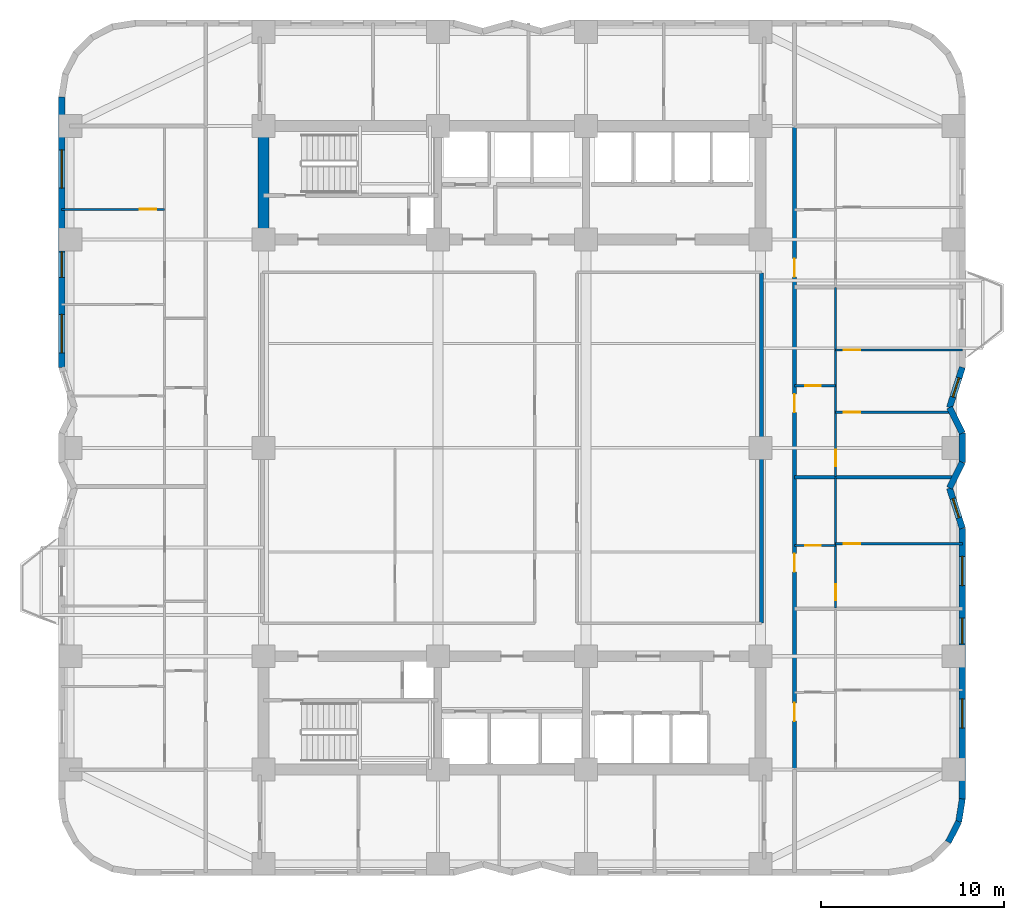
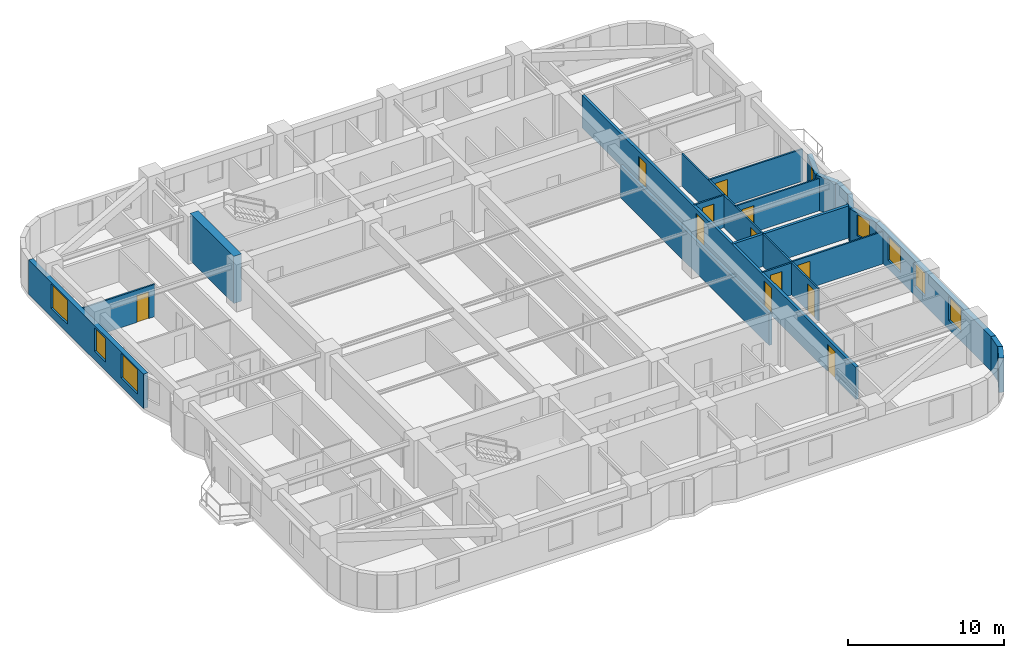
# One storey, part 5 of 9: 21 walls, 12 doors, 8 windows, 20 openings.
"""IFC4 building model written with IfcOpenShell, lengths in metres."""

from ifc_helpers import new_model, si_unit, direction, frame, frame_2d, origin, place, context, subcontext, project, spatial, rectangle, extrude, material, layer, layer_set, type_object, element, fill, save


model = new_model("IFC4")

# Units and contexts
model_context = context("Model", 3, precision=1e-05, world=origin(), true_north=direction((0.0, 1.0)))
body_context = subcontext(model_context, "Body", "Model", "MODEL_VIEW")
ifc_project = project(units=[si_unit("LENGTHUNIT", "METRE"), si_unit("AREAUNIT", "SQUARE_METRE"), si_unit("VOLUMEUNIT", "CUBIC_METRE"), si_unit("PLANEANGLEUNIT", "RADIAN"), si_unit("MASSUNIT", "GRAM", prefix="KILO")], contexts=[model_context])

# Site, building, storey
site_placement = place(None, origin())
site = spatial("IfcSite", under=ifc_project, at=site_placement, CompositionType="ELEMENT")
building_placement = place(site_placement, origin())
building = spatial("IfcBuilding", under=site, at=building_placement, Name="Svetorya Sky Lyceum", CompositionType="ELEMENT")
storey_placement = place(building_placement, frame((0.0, 0.0, 62.10009765625)))
storey = spatial("IfcBuildingStorey", under=building, at=storey_placement, Name="L15", CompositionType="ELEMENT", Elevation=62.10009765625)

# Walls
ifc_material_1 = material(Name="Concrete C60/75", Category="concrete")
ifc_layer_1 = layer(ifc_material_1, 0.60009765625)
ifc_layer_set_1 = layer_set([ifc_layer_1], Name="Concrete C60/75")
wall_type_1 = type_object("IfcWallType", Name="WL-CORE-600", PredefinedType="SHEAR", material=ifc_layer_set_1)
wall_1_placement = place(storey_placement, frame((25.60009765625, 39.89990234375, 0.0), z_axis=(0.0, 0.0, 1.0), x_axis=(0.0, 1.0, 0.0)))
element("IfcWall", 1, at=wall_1_placement, inside=storey, type_object=wall_type_1, Name="L15 NC West Core Shear Wall", PredefinedType="SHEAR", context=body_context, shape_type="SweptSolid", body=[
    extrude(rectangle(XDim=5.60009765625, YDim=0.60009765625, at=frame_2d((2.800048828125, 0.0))), origin(), (0.0, 0.0, 1.0), 3.699951171875),
])
ifc_material_2 = material(Name="Putilovo limestone rainscreen on autoclaved cellular masonry", Category="masonry")
ifc_layer_2 = layer(ifc_material_2, 0.340087890625)
ifc_layer_set_2 = layer_set([ifc_layer_2], Name="Putilovo limestone rainscreen on autoclaved cellular masonry")
wall_type_2 = type_object("IfcWallType", Name="WL-EXT-340", PredefinedType="SOLIDWALL", material=ifc_layer_set_2)
for number, where, z_axis, x_axis, name in (
    (2, (63.060302734375, 6.631103515625, 0.0), (0.0, 0.0, 1.0), (0.454015689056, 0.890993689142, 0.0), "L15 Limestone Exterior Wall 15M"),
    (3, (63.6328125, 7.754638671875, 0.0), (0.0, 0.0, 1.0), (0.15644975923, 0.987685918112, 0.0), "L15 Limestone Exterior Wall 16M"),
):
    element("IfcWall", number, at=place(storey_placement, frame(where, z_axis=z_axis, x_axis=x_axis)), inside=storey, type_object=wall_type_2, Name=name, PredefinedType="SOLIDWALL", context=body_context, shape_type="SweptSolid", body=[
        extrude(rectangle(XDim=1.260986328125, YDim=0.340087890625, at=frame_2d((0.63037109375, 0.0))), origin(), (0.0, 0.0, 1.0), 2.699951171875),
    ])

# Wall, openings, windows
wall_2_placement = place(storey_placement, frame((63.830078125, 9.0, 0.0), z_axis=(0.0, 0.0, 1.0), x_axis=(0.0, 1.0, 0.0)))
wall_2 = element("IfcWall", 4, at=wall_2_placement, inside=storey, type_object=wall_type_2, Name="L15 Limestone Exterior Wall 17M", PredefinedType="SOLIDWALL", context=body_context, shape_type="SweptSolid", body=[
    extrude(rectangle(XDim=14.800048828125, YDim=0.340087890625, at=frame_2d((7.39990234375, 0.0))), origin(), (0.0, 0.0, 1.0), 2.699951171875),
])
opening_1_placement = place(wall_2_placement, frame((3.862548828125, 0.0, 0.679931640625)))
opening_1 = element("IfcOpeningElement", 5, at=opening_1_placement, cuts=wall_2, Name="Opening W-R4", PredefinedType="OPENING", context=body_context, shape_type="SweptSolid", body=[
    extrude(rectangle(XDim=1.60009765625, YDim=1.89990234375, at=frame_2d((0.800048828125, 0.949951171875))), frame((0.0, 0.179931640625, 0.0), z_axis=(0.0, -1.0, 0.0), x_axis=(1.0, 0.0, 0.0)), (0.0, 0.0, 1.0), 0.360107421875),
])
opening_2_placement = place(wall_2_placement, frame((8.47998046875, 0.0, 0.68994140625)))
opening_2 = element("IfcOpeningElement", 6, at=opening_2_placement, cuts=wall_2, Name="Opening W-R2", PredefinedType="OPENING", context=body_context, shape_type="SweptSolid", body=[
    extrude(rectangle(XDim=1.39990234375, YDim=1.85009765625, at=frame_2d((0.699951171875, 0.925048828125))), frame((0.0, 0.179931640625, 0.0), z_axis=(0.0, -1.0, 0.0), x_axis=(1.0, 0.0, 0.0)), (0.0, 0.0, 1.0), 0.360107421875),
])
opening_3_placement = place(wall_2_placement, frame((11.66259765625, 0.0, 0.679931640625)))
opening_3 = element("IfcOpeningElement", 7, at=opening_3_placement, cuts=wall_2, Name="Opening W-R4", PredefinedType="OPENING", context=body_context, shape_type="SweptSolid", body=[
    extrude(rectangle(XDim=1.60009765625, YDim=1.89990234375, at=frame_2d((0.800048828125, 0.949951171875))), frame((0.0, 0.179931640625, 0.0), z_axis=(0.0, -1.0, 0.0), x_axis=(1.0, 0.0, 0.0)), (0.0, 0.0, 1.0), 0.360107421875),
])
ifc_material_3 = material(Name="Thermally broken aluminium frame with triple low-E glazing", Category="aluminium")
window_type_1 = type_object("IfcWindowType", Name="WN-RES-140", PartitioningType="SINGLE_PANEL", PredefinedType="WINDOW", material=ifc_material_3)
window_1_placement = place(opening_2_placement, origin())
window_1 = element("IfcWindow", 8, at=window_1_placement, inside=storey, type_object=window_type_1, Name="L15 Facade Window W-R2.17M.3", OverallHeight=1.85009765625, OverallWidth=1.39990234375, PartitioningType="SINGLE_PANEL", PredefinedType="WINDOW", context=body_context, shape_type="SweptSolid", body=[
    extrude(rectangle(XDim=1.39990234375, YDim=1.85009765625, at=frame_2d((0.699951171875, 0.925048828125))), frame((0.0, 0.030029296875, 0.0), z_axis=(0.0, -1.0, 0.0), x_axis=(1.0, 0.0, 0.0)), (0.0, 0.0, 1.0), 0.06005859375),
])
fill(opening_2, window_1)
window_type_2 = type_object("IfcWindowType", Name="WN-RES-160", PartitioningType="DOUBLE_PANEL_VERTICAL", PredefinedType="WINDOW", material=ifc_material_3)
window_2_placement = place(opening_1_placement, origin())
window_2 = element("IfcWindow", 9, at=window_2_placement, inside=storey, type_object=window_type_2, Name="L15 Facade Window W-R4.17M.1", OverallHeight=1.89990234375, OverallWidth=1.60009765625, PartitioningType="SINGLE_PANEL", PredefinedType="WINDOW", context=body_context, shape_type="SweptSolid", body=[
    extrude(rectangle(XDim=1.60009765625, YDim=1.89990234375, at=frame_2d((0.800048828125, 0.949951171875))), frame((0.0, 0.030029296875, 0.0), z_axis=(0.0, -1.0, 0.0), x_axis=(1.0, 0.0, 0.0)), (0.0, 0.0, 1.0), 0.06005859375),
])
fill(opening_1, window_2)
window_3_placement = place(opening_3_placement, origin())
window_3 = element("IfcWindow", 10, at=window_3_placement, inside=storey, type_object=window_type_2, Name="L15 Facade Window W-R4.17M.2", OverallHeight=1.89990234375, OverallWidth=1.60009765625, PartitioningType="SINGLE_PANEL", PredefinedType="WINDOW", context=body_context, shape_type="SweptSolid", body=[
    extrude(rectangle(XDim=1.60009765625, YDim=1.89990234375, at=frame_2d((0.800048828125, 0.949951171875))), frame((0.0, 0.030029296875, 0.0), z_axis=(0.0, -1.0, 0.0), x_axis=(1.0, 0.0, 0.0)), (0.0, 0.0, 1.0), 0.06005859375),
])
fill(opening_3, window_3)

# Wall, opening, window
wall_3_placement = place(storey_placement, frame((63.830078125, 23.800048828125, 0.0), z_axis=(0.0, 0.0, 1.0), x_axis=(-0.303286588318, 0.95289938889, 0.0)))
wall_3 = element("IfcWall", 11, at=wall_3_placement, inside=storey, type_object=wall_type_2, Name="L15 Limestone Exterior Wall 18M", PredefinedType="SOLIDWALL", context=body_context, shape_type="SweptSolid", body=[
    extrude(rectangle(XDim=2.30859375, YDim=0.340087890625, at=frame_2d((1.154296875, 0.0))), origin(), (0.0, 0.0, 1.0), 2.699951171875),
])
opening_4_placement = place(wall_3_placement, frame((0.604248046875, 0.0, 0.889892578125)))
opening_4 = element("IfcOpeningElement", 12, at=opening_4_placement, cuts=wall_3, Name="Opening W-R3", PredefinedType="OPENING", context=body_context, shape_type="SweptSolid", body=[
    extrude(rectangle(XDim=1.10009765625, YDim=1.64990234375, at=frame_2d((0.550048828125, 0.824951171875))), frame((0.0, 0.179931640625, 0.0), z_axis=(0.0, -1.0, 0.0), x_axis=(1.0, 0.0, 0.0)), (0.0, 0.0, 1.0), 0.360107421875),
])
window_type_3 = type_object("IfcWindowType", Name="WN-RES-110", PartitioningType="SINGLE_PANEL", PredefinedType="WINDOW", material=ifc_material_3)
window_4_placement = place(opening_4_placement, origin())
window_4 = element("IfcWindow", 13, at=window_4_placement, inside=storey, type_object=window_type_3, Name="L15 Facade Window W-R3.18M.1", OverallHeight=1.64990234375, OverallWidth=1.10009765625, PartitioningType="SINGLE_PANEL", PredefinedType="WINDOW", context=body_context, shape_type="SweptSolid", body=[
    extrude(rectangle(XDim=1.10009765625, YDim=1.64990234375, at=frame_2d((0.550048828125, 0.824951171875))), frame((0.0, 0.030029296875, 0.0), z_axis=(0.0, -1.0, 0.0), x_axis=(1.0, 0.0, 0.0)), (0.0, 0.0, 1.0), 0.06005859375),
])
fill(opening_4, window_4)

# Walls
wall_4_placement = place(storey_placement, frame((63.1298828125, 26.0, 0.0), z_axis=(0.0, 0.0, 1.0), x_axis=(0.447338371726, 0.894364792007, 0.0)))
element("IfcWall", 14, at=wall_4_placement, inside=storey, type_object=wall_type_2, Name="L15 Limestone Exterior Wall 19M", PredefinedType="SOLIDWALL", context=body_context, shape_type="SweptSolid", body=[
    extrude(rectangle(XDim=1.565185546875, YDim=0.340087890625, at=frame_2d((0.78271484375, 0.0))), origin(), (0.0, 0.0, 1.0), 2.699951171875),
])
wall_5_placement = place(storey_placement, frame((63.830078125, 27.39990234375, 0.0), z_axis=(0.0, 0.0, 1.0), x_axis=(0.0, 1.0, 0.0)))
element("IfcWall", 15, at=wall_5_placement, inside=storey, type_object=wall_type_2, Name="L15 Limestone Exterior Wall 20M", PredefinedType="SOLIDWALL", context=body_context, shape_type="SweptSolid", body=[
    extrude(rectangle(XDim=1.60009765625, YDim=0.340087890625, at=frame_2d((0.800048828125, 0.0))), origin(), (0.0, 0.0, 1.0), 2.699951171875),
])
wall_6_placement = place(storey_placement, frame((63.830078125, 29.0, 0.0), z_axis=(0.0, 0.0, 1.0), x_axis=(-0.447338371726, 0.894364792007, 0.0)))
element("IfcWall", 16, at=wall_6_placement, inside=storey, type_object=wall_type_2, Name="L15 Limestone Exterior Wall 21M", PredefinedType="SOLIDWALL", context=body_context, shape_type="SweptSolid", body=[
    extrude(rectangle(XDim=1.565185546875, YDim=0.340087890625, at=frame_2d((0.78271484375, 0.0))), origin(), (0.0, 0.0, 1.0), 2.699951171875),
])

# Wall, opening, window
wall_7_placement = place(storey_placement, frame((63.1298828125, 30.39990234375, 0.0), z_axis=(0.0, 0.0, 1.0), x_axis=(0.303256029766, 0.952909114454, 0.0)))
wall_7 = element("IfcWall", 17, at=wall_7_placement, inside=storey, type_object=wall_type_2, Name="L15 Limestone Exterior Wall 22M", PredefinedType="SOLIDWALL", context=body_context, shape_type="SweptSolid", body=[
    extrude(rectangle(XDim=2.308837890625, YDim=0.340087890625, at=frame_2d((1.154296875, 0.0))), origin(), (0.0, 0.0, 1.0), 2.699951171875),
])
opening_5_placement = place(wall_7_placement, frame((0.604248046875, 0.0, 0.889892578125)))
opening_5 = element("IfcOpeningElement", 18, at=opening_5_placement, cuts=wall_7, Name="Opening W-R3", PredefinedType="OPENING", context=body_context, shape_type="SweptSolid", body=[
    extrude(rectangle(XDim=1.10009765625, YDim=1.64990234375, at=frame_2d((0.550048828125, 0.824951171875))), frame((0.0, 0.179931640625, 0.0), z_axis=(0.0, -1.0, 0.0), x_axis=(1.0, 0.0, 0.0)), (0.0, 0.0, 1.0), 0.360107421875),
])
window_5_placement = place(opening_5_placement, origin())
window_5 = element("IfcWindow", 19, at=window_5_placement, inside=storey, type_object=window_type_3, Name="L15 Facade Window W-R3.22M.1", OverallHeight=1.64990234375, OverallWidth=1.10009765625, PartitioningType="SINGLE_PANEL", PredefinedType="WINDOW", context=body_context, shape_type="SweptSolid", body=[
    extrude(rectangle(XDim=1.10009765625, YDim=1.64990234375, at=frame_2d((0.550048828125, 0.824951171875))), frame((0.0, 0.030029296875, 0.0), z_axis=(0.0, -1.0, 0.0), x_axis=(1.0, 0.0, 0.0)), (0.0, 0.0, 1.0), 0.06005859375),
])
fill(opening_5, window_5)

# Wall, openings, windows
wall_8_placement = place(storey_placement, frame((14.570068359375, 47.39990234375, 0.0), z_axis=(0.0, 0.0, 1.0), x_axis=(0.0, -1.0, 0.0)))
wall_8 = element("IfcWall", 20, at=wall_8_placement, inside=storey, type_object=wall_type_2, Name="L15 Limestone Exterior Wall 40M", PredefinedType="SOLIDWALL", context=body_context, shape_type="SweptSolid", body=[
    extrude(rectangle(XDim=14.7998046875, YDim=0.340087890625, at=frame_2d((7.39990234375, 0.0))), origin(), (0.0, 0.0, 1.0), 2.699951171875),
])
opening_6_placement = place(wall_8_placement, frame((2.89990234375, 0.0, 0.679931640625)))
opening_6 = element("IfcOpeningElement", 21, at=opening_6_placement, cuts=wall_8, Name="Opening W-R0", PredefinedType="OPENING", context=body_context, shape_type="SweptSolid", body=[
    extrude(rectangle(XDim=2.10009765625, YDim=1.89990234375, at=frame_2d((1.050048828125, 0.949951171875))), frame((0.0, 0.179931640625, 0.0), z_axis=(0.0, -1.0, 0.0), x_axis=(1.0, 0.0, 0.0)), (0.0, 0.0, 1.0), 0.360107421875),
])
opening_7_placement = place(wall_8_placement, frame((8.47998046875, 0.0, 0.68994140625)))
opening_7 = element("IfcOpeningElement", 22, at=opening_7_placement, cuts=wall_8, Name="Opening W-R2", PredefinedType="OPENING", context=body_context, shape_type="SweptSolid", body=[
    extrude(rectangle(XDim=1.39990234375, YDim=1.85009765625, at=frame_2d((0.699951171875, 0.925048828125))), frame((0.0, 0.179931640625, 0.0), z_axis=(0.0, -1.0, 0.0), x_axis=(1.0, 0.0, 0.0)), (0.0, 0.0, 1.0), 0.360107421875),
])
opening_8_placement = place(wall_8_placement, frame((11.89990234375, 0.0, 0.679931640625)))
opening_8 = element("IfcOpeningElement", 23, at=opening_8_placement, cuts=wall_8, Name="Opening W-R0", PredefinedType="OPENING", context=body_context, shape_type="SweptSolid", body=[
    extrude(rectangle(XDim=2.10009765625, YDim=1.89990234375, at=frame_2d((1.050048828125, 0.949951171875))), frame((0.0, 0.179931640625, 0.0), z_axis=(0.0, -1.0, 0.0), x_axis=(1.0, 0.0, 0.0)), (0.0, 0.0, 1.0), 0.360107421875),
])
window_6_placement = place(opening_7_placement, origin())
window_6 = element("IfcWindow", 24, at=window_6_placement, inside=storey, type_object=window_type_1, Name="L15 Facade Window W-R2.40M.3", OverallHeight=1.85009765625, OverallWidth=1.39990234375, PartitioningType="SINGLE_PANEL", PredefinedType="WINDOW", context=body_context, shape_type="SweptSolid", body=[
    extrude(rectangle(XDim=1.39990234375, YDim=1.85009765625, at=frame_2d((0.699951171875, 0.925048828125))), frame((0.0, 0.030029296875, 0.0), z_axis=(0.0, -1.0, 0.0), x_axis=(1.0, 0.0, 0.0)), (0.0, 0.0, 1.0), 0.06005859375),
])
fill(opening_7, window_6)
window_type_4 = type_object("IfcWindowType", Name="WN-RES-210", PartitioningType="TRIPLE_PANEL_VERTICAL", PredefinedType="WINDOW", material=ifc_material_3)
window_7_placement = place(opening_6_placement, origin())
window_7 = element("IfcWindow", 25, at=window_7_placement, inside=storey, type_object=window_type_4, Name="L15 Facade Window W-R0.40M.1", OverallHeight=1.89990234375, OverallWidth=2.10009765625, PartitioningType="SINGLE_PANEL", PredefinedType="WINDOW", context=body_context, shape_type="SweptSolid", body=[
    extrude(rectangle(XDim=2.10009765625, YDim=1.89990234375, at=frame_2d((1.050048828125, 0.949951171875))), frame((0.0, 0.030029296875, 0.0), z_axis=(0.0, -1.0, 0.0), x_axis=(1.0, 0.0, 0.0)), (0.0, 0.0, 1.0), 0.06005859375),
])
fill(opening_6, window_7)
window_8_placement = place(opening_8_placement, origin())
window_8 = element("IfcWindow", 26, at=window_8_placement, inside=storey, type_object=window_type_4, Name="L15 Facade Window W-R0.40M.2", OverallHeight=1.89990234375, OverallWidth=2.10009765625, PartitioningType="SINGLE_PANEL", PredefinedType="WINDOW", context=body_context, shape_type="SweptSolid", body=[
    extrude(rectangle(XDim=2.10009765625, YDim=1.89990234375, at=frame_2d((1.050048828125, 0.949951171875))), frame((0.0, 0.030029296875, 0.0), z_axis=(0.0, -1.0, 0.0), x_axis=(1.0, 0.0, 0.0)), (0.0, 0.0, 1.0), 0.06005859375),
])
fill(opening_8, window_8)

# Wall, opening, door
ifc_material_4 = material(Name="Twin-stud galvanized framing with double fireboard", Category="gypsum")
ifc_layer_3 = layer(ifc_material_4, 0.1201171875)
ifc_layer_set_3 = layer_set([ifc_layer_3], Name="Twin-stud galvanized framing with double fireboard")
wall_type_3 = type_object("IfcWallType", Name="WL-PART-120", PredefinedType="PARTITIONING", material=ifc_layer_set_3)
wall_9_placement = place(storey_placement, frame((14.570068359375, 41.238037109375, 0.0), z_axis=(0.0, 0.0, 1.0), x_axis=(1.0, 0.0, 0.0)))
wall_9 = element("IfcWall", 27, at=wall_9_placement, inside=storey, type_object=wall_type_3, Name="L15 Interior Partition W2-WL3", PredefinedType="PARTITIONING", context=body_context, shape_type="SweptSolid", body=[
    extrude(rectangle(XDim=5.6298828125, YDim=0.1201171875, at=frame_2d((2.81494140625, 0.0))), origin(), (0.0, 0.0, 1.0), 2.52978515625),
])
opening_9_placement = place(wall_9_placement, frame((4.280029296875, 0.0, 0.0)))
opening_9 = element("IfcOpeningElement", 28, at=opening_9_placement, cuts=wall_9, Name="Opening D-RM1", PredefinedType="OPENING", context=body_context, shape_type="SweptSolid", body=[
    extrude(rectangle(XDim=0.89990234375, YDim=2.10009765625, at=frame_2d((0.449951171875, 1.050048828125))), frame((0.0, 0.070068359375, 0.0), z_axis=(0.0, -1.0, 0.0), x_axis=(1.0, 0.0, 0.0)), (0.0, 0.0, 1.0), 0.14013671875),
])
ifc_material_5 = material(Name="Lacquered birch veneer internal door")
door_type_1 = type_object("IfcDoorType", Name="DR-INT-900", OperationType="SINGLE_SWING_LEFT", PredefinedType="DOOR", material=ifc_material_5)
door_1_placement = place(opening_9_placement, origin())
door_1 = element("IfcDoor", 29, at=door_1_placement, inside=storey, type_object=door_type_1, Name="Apartment W2 Bedroom 3 Door", OperationType="SINGLE_SWING_RIGHT", OverallHeight=2.10009765625, OverallWidth=0.89990234375, PredefinedType="DOOR", context=body_context, shape_type="SweptSolid", body=[
    extrude(rectangle(XDim=0.89990234375, YDim=2.10009765625, at=frame_2d((0.449951171875, 1.050048828125))), frame((0.0, 0.02490234375, 0.0), z_axis=(0.0, -1.0, 0.0), x_axis=(1.0, 0.0, 0.0)), (0.0, 0.0, 1.0), 0.050048828125),
])
fill(opening_9, door_1)

wall_10_placement = place(storey_placement, frame((54.64990234375, 22.860107421875, 0.0), z_axis=(0.0, 0.0, 1.0), x_axis=(1.0, 0.0, 0.0)))
wall_10 = element("IfcWall", 30, at=wall_10_placement, inside=storey, type_object=wall_type_3, Name="L15 Interior Partition E2-WH1", PredefinedType="PARTITIONING", context=body_context, shape_type="SweptSolid", body=[
    extrude(rectangle(XDim=2.25, YDim=0.1201171875, at=frame_2d((1.125, 0.0))), origin(), (0.0, 0.0, 1.0), 2.52978515625),
])
opening_10_placement = place(wall_10_placement, frame((0.60009765625, 0.0, 0.0)))
opening_10 = element("IfcOpeningElement", 31, at=opening_10_placement, cuts=wall_10, Name="Opening D-BT1", PredefinedType="OPENING", context=body_context, shape_type="SweptSolid", body=[
    extrude(rectangle(XDim=0.85009765625, YDim=2.10009765625, at=frame_2d((0.425048828125, 1.050048828125))), frame((0.0, 0.070068359375, 0.0), z_axis=(0.0, -1.0, 0.0), x_axis=(1.0, 0.0, 0.0)), (0.0, 0.0, 1.0), 0.14013671875),
])
ifc_material_6 = material(Name="Moisture-resistant laminate bathroom door")
door_type_2 = type_object("IfcDoorType", Name="DR-WET-850", OperationType="SINGLE_SWING_LEFT", PredefinedType="DOOR", material=ifc_material_6)
door_2_placement = place(opening_10_placement, origin())
door_2 = element("IfcDoor", 32, at=door_2_placement, inside=storey, type_object=door_type_2, Name="Apartment E2 Bathroom Door", OperationType="SINGLE_SWING_LEFT", OverallHeight=2.10009765625, OverallWidth=0.85009765625, PredefinedType="DOOR", context=body_context, shape_type="SweptSolid", body=[
    extrude(rectangle(XDim=0.85009765625, YDim=2.10009765625, at=frame_2d((0.425048828125, 1.050048828125))), frame((0.0, 0.02490234375, 0.0), z_axis=(0.0, -1.0, 0.0), x_axis=(1.0, 0.0, 0.0)), (0.0, 0.0, 1.0), 0.050048828125),
])
fill(opening_10, door_2)

wall_11_placement = place(storey_placement, frame((56.89990234375, 22.949951171875, 0.0), z_axis=(0.0, 0.0, 1.0), x_axis=(1.0, 0.0, 0.0)))
wall_11 = element("IfcWall", 33, at=wall_11_placement, inside=storey, type_object=wall_type_3, Name="L15 Interior Partition E2-WL1", PredefinedType="PARTITIONING", context=body_context, shape_type="SweptSolid", body=[
    extrude(rectangle(XDim=6.93017578125, YDim=0.1201171875, at=frame_2d((3.465087890625, 0.0))), origin(), (0.0, 0.0, 1.0), 2.52978515625),
])
opening_11_placement = place(wall_11_placement, frame((0.449951171875, 0.0, 0.0)))
opening_11 = element("IfcOpeningElement", 34, at=opening_11_placement, cuts=wall_11, Name="Opening D-RM1", PredefinedType="OPENING", context=body_context, shape_type="SweptSolid", body=[
    extrude(rectangle(XDim=0.89990234375, YDim=2.10009765625, at=frame_2d((0.449951171875, 1.050048828125))), frame((0.0, 0.070068359375, 0.0), z_axis=(0.0, -1.0, 0.0), x_axis=(1.0, 0.0, 0.0)), (0.0, 0.0, 1.0), 0.14013671875),
])
door_3_placement = place(opening_11_placement, origin())
door_3 = element("IfcDoor", 35, at=door_3_placement, inside=storey, type_object=door_type_1, Name="Apartment E2 Bedroom 1 Door", OperationType="SINGLE_SWING_LEFT", OverallHeight=2.10009765625, OverallWidth=0.89990234375, PredefinedType="DOOR", context=body_context, shape_type="SweptSolid", body=[
    extrude(rectangle(XDim=0.89990234375, YDim=2.10009765625, at=frame_2d((0.449951171875, 1.050048828125))), frame((0.0, 0.02490234375, 0.0), z_axis=(0.0, -1.0, 0.0), x_axis=(1.0, 0.0, 0.0)), (0.0, 0.0, 1.0), 0.050048828125),
])
fill(opening_11, door_3)

wall_12_placement = place(storey_placement, frame((56.89990234375, 19.43994140625, 0.0), z_axis=(0.0, 0.0, 1.0), x_axis=(0.0, 1.0, 0.0)))
wall_12 = element("IfcWall", 36, at=wall_12_placement, inside=storey, type_object=wall_type_3, Name="L15 Interior Partition E2-WV", PredefinedType="PARTITIONING", context=body_context, shape_type="SweptSolid", body=[
    extrude(rectangle(XDim=7.1201171875, YDim=0.1201171875, at=frame_2d((3.56005859375, 0.0))), origin(), (0.0, 0.0, 1.0), 2.52978515625),
])
opening_12_placement = place(wall_12_placement, frame((0.409912109375, 0.0, 0.0)))
opening_12 = element("IfcOpeningElement", 37, at=opening_12_placement, cuts=wall_12, Name="Opening D-RM1", PredefinedType="OPENING", context=body_context, shape_type="SweptSolid", body=[
    extrude(rectangle(XDim=0.89990234375, YDim=2.10009765625, at=frame_2d((0.449951171875, 1.050048828125))), frame((0.0, 0.070068359375, 0.0), z_axis=(0.0, -1.0, 0.0), x_axis=(1.0, 0.0, 0.0)), (0.0, 0.0, 1.0), 0.14013671875),
])
door_4_placement = place(opening_12_placement, origin())
door_4 = element("IfcDoor", 38, at=door_4_placement, inside=storey, type_object=door_type_1, Name="Apartment E2 Living Door", OperationType="SINGLE_SWING_RIGHT", OverallHeight=2.10009765625, OverallWidth=0.89990234375, PredefinedType="DOOR", context=body_context, shape_type="SweptSolid", body=[
    extrude(rectangle(XDim=0.89990234375, YDim=2.10009765625, at=frame_2d((0.449951171875, 1.050048828125))), frame((0.0, 0.02490234375, 0.0), z_axis=(0.0, -1.0, 0.0), x_axis=(1.0, 0.0, 0.0)), (0.0, 0.0, 1.0), 0.050048828125),
])
fill(opening_12, door_4)

wall_13_placement = place(storey_placement, frame((54.64990234375, 31.590087890625, 0.0), z_axis=(0.0, 0.0, 1.0), x_axis=(1.0, 0.0, 0.0)))
wall_13 = element("IfcWall", 39, at=wall_13_placement, inside=storey, type_object=wall_type_3, Name="L15 Interior Partition E3-WH1", PredefinedType="PARTITIONING", context=body_context, shape_type="SweptSolid", body=[
    extrude(rectangle(XDim=2.25, YDim=0.1201171875, at=frame_2d((1.125, 0.0))), origin(), (0.0, 0.0, 1.0), 2.52978515625),
])
opening_13_placement = place(wall_13_placement, frame((0.60009765625, 0.0, 0.0)))
opening_13 = element("IfcOpeningElement", 40, at=opening_13_placement, cuts=wall_13, Name="Opening D-BT1", PredefinedType="OPENING", context=body_context, shape_type="SweptSolid", body=[
    extrude(rectangle(XDim=0.85009765625, YDim=2.10009765625, at=frame_2d((0.425048828125, 1.050048828125))), frame((0.0, 0.070068359375, 0.0), z_axis=(0.0, -1.0, 0.0), x_axis=(1.0, 0.0, 0.0)), (0.0, 0.0, 1.0), 0.14013671875),
])
door_5_placement = place(opening_13_placement, origin())
door_5 = element("IfcDoor", 41, at=door_5_placement, inside=storey, type_object=door_type_2, Name="Apartment E3 Bathroom Door", OperationType="SINGLE_SWING_RIGHT", OverallHeight=2.10009765625, OverallWidth=0.85009765625, PredefinedType="DOOR", context=body_context, shape_type="SweptSolid", body=[
    extrude(rectangle(XDim=0.85009765625, YDim=2.10009765625, at=frame_2d((0.425048828125, 1.050048828125))), frame((0.0, 0.02490234375, 0.0), z_axis=(0.0, -1.0, 0.0), x_axis=(1.0, 0.0, 0.0)), (0.0, 0.0, 1.0), 0.050048828125),
])
fill(opening_13, door_5)

wall_14_placement = place(storey_placement, frame((56.89990234375, 30.14990234375, 0.0), z_axis=(0.0, 0.0, 1.0), x_axis=(1.0, 0.0, 0.0)))
wall_14 = element("IfcWall", 42, at=wall_14_placement, inside=storey, type_object=wall_type_3, Name="L15 Interior Partition E3-WL1", PredefinedType="PARTITIONING", context=body_context, shape_type="SweptSolid", body=[
    extrude(rectangle(XDim=6.35498046875, YDim=0.1201171875, at=frame_2d((3.177490234375, 0.0))), origin(), (0.0, 0.0, 1.0), 2.52978515625),
])
opening_14_placement = place(wall_14_placement, frame((0.449951171875, 0.0, 0.0)))
opening_14 = element("IfcOpeningElement", 43, at=opening_14_placement, cuts=wall_14, Name="Opening D-RM1", PredefinedType="OPENING", context=body_context, shape_type="SweptSolid", body=[
    extrude(rectangle(XDim=0.89990234375, YDim=2.10009765625, at=frame_2d((0.449951171875, 1.050048828125))), frame((0.0, 0.070068359375, 0.0), z_axis=(0.0, -1.0, 0.0), x_axis=(1.0, 0.0, 0.0)), (0.0, 0.0, 1.0), 0.14013671875),
])
door_6_placement = place(opening_14_placement, origin())
door_6 = element("IfcDoor", 44, at=door_6_placement, inside=storey, type_object=door_type_1, Name="Apartment E3 Master Bedroom Door", OperationType="SINGLE_SWING_RIGHT", OverallHeight=2.10009765625, OverallWidth=0.89990234375, PredefinedType="DOOR", context=body_context, shape_type="SweptSolid", body=[
    extrude(rectangle(XDim=0.89990234375, YDim=2.10009765625, at=frame_2d((0.449951171875, 1.050048828125))), frame((0.0, 0.02490234375, 0.0), z_axis=(0.0, -1.0, 0.0), x_axis=(1.0, 0.0, 0.0)), (0.0, 0.0, 1.0), 0.050048828125),
])
fill(opening_14, door_6)

wall_15_placement = place(storey_placement, frame((56.89990234375, 33.550048828125, 0.0), z_axis=(0.0, 0.0, 1.0), x_axis=(1.0, 0.0, 0.0)))
wall_15 = element("IfcWall", 45, at=wall_15_placement, inside=storey, type_object=wall_type_3, Name="L15 Interior Partition E3-WL2", PredefinedType="PARTITIONING", context=body_context, shape_type="SweptSolid", body=[
    extrude(rectangle(XDim=6.93017578125, YDim=0.1201171875, at=frame_2d((3.465087890625, 0.0))), origin(), (0.0, 0.0, 1.0), 2.52978515625),
])
opening_15_placement = place(wall_15_placement, frame((0.449951171875, 0.0, 0.0)))
opening_15 = element("IfcOpeningElement", 46, at=opening_15_placement, cuts=wall_15, Name="Opening D-RM1", PredefinedType="OPENING", context=body_context, shape_type="SweptSolid", body=[
    extrude(rectangle(XDim=0.89990234375, YDim=2.10009765625, at=frame_2d((0.449951171875, 1.050048828125))), frame((0.0, 0.070068359375, 0.0), z_axis=(0.0, -1.0, 0.0), x_axis=(1.0, 0.0, 0.0)), (0.0, 0.0, 1.0), 0.14013671875),
])
door_7_placement = place(opening_15_placement, origin())
door_7 = element("IfcDoor", 47, at=door_7_placement, inside=storey, type_object=door_type_1, Name="Apartment E3 Bedroom 2 Door", OperationType="SINGLE_SWING_LEFT", OverallHeight=2.10009765625, OverallWidth=0.89990234375, PredefinedType="DOOR", context=body_context, shape_type="SweptSolid", body=[
    extrude(rectangle(XDim=0.89990234375, YDim=2.10009765625, at=frame_2d((0.449951171875, 1.050048828125))), frame((0.0, 0.02490234375, 0.0), z_axis=(0.0, -1.0, 0.0), x_axis=(1.0, 0.0, 0.0)), (0.0, 0.0, 1.0), 0.050048828125),
])
fill(opening_15, door_7)

wall_16_placement = place(storey_placement, frame((56.89990234375, 26.639892578125, 0.0), z_axis=(0.0, 0.0, 1.0), x_axis=(0.0, 1.0, 0.0)))
wall_16 = element("IfcWall", 48, at=wall_16_placement, inside=storey, type_object=wall_type_3, Name="L15 Interior Partition E3-WV", PredefinedType="PARTITIONING", context=body_context, shape_type="SweptSolid", body=[
    extrude(rectangle(XDim=10.320068359375, YDim=0.1201171875, at=frame_2d((5.16015625, 0.0))), origin(), (0.0, 0.0, 1.0), 2.52978515625),
])
opening_16_placement = place(wall_16_placement, frame((0.56005859375, 0.0, 0.0)))
opening_16 = element("IfcOpeningElement", 49, at=opening_16_placement, cuts=wall_16, Name="Opening D-RM1", PredefinedType="OPENING", context=body_context, shape_type="SweptSolid", body=[
    extrude(rectangle(XDim=0.89990234375, YDim=2.10009765625, at=frame_2d((0.449951171875, 1.050048828125))), frame((0.0, 0.070068359375, 0.0), z_axis=(0.0, -1.0, 0.0), x_axis=(1.0, 0.0, 0.0)), (0.0, 0.0, 1.0), 0.14013671875),
])
door_8_placement = place(opening_16_placement, origin())
door_8 = element("IfcDoor", 50, at=door_8_placement, inside=storey, type_object=door_type_1, Name="Apartment E3 Living Door", OperationType="SINGLE_SWING_LEFT", OverallHeight=2.10009765625, OverallWidth=0.89990234375, PredefinedType="DOOR", context=body_context, shape_type="SweptSolid", body=[
    extrude(rectangle(XDim=0.89990234375, YDim=2.10009765625, at=frame_2d((0.449951171875, 1.050048828125))), frame((0.0, 0.02490234375, 0.0), z_axis=(0.0, -1.0, 0.0), x_axis=(1.0, 0.0, 0.0)), (0.0, 0.0, 1.0), 0.050048828125),
])
fill(opening_16, door_8)

# Walls
ifc_material_7 = material(Name="Autoclaved cellular masonry blockwork with gypsum plaster", Category="masonry")
ifc_layer_4 = layer(ifc_material_7, 0.199951171875)
ifc_layer_set_4 = layer_set([ifc_layer_4], Name="Autoclaved cellular masonry blockwork with gypsum plaster")
wall_type_4 = type_object("IfcWallType", Name="WL-PART-200", PredefinedType="PARTITIONING", material=ifc_layer_set_4)
wall_17_placement = place(storey_placement, frame((52.85009765625, 18.6298828125, 0.0), z_axis=(0.0, 0.0, 1.0), x_axis=(0.0, 1.0, 0.0)))
element("IfcWall", 51, at=wall_17_placement, inside=storey, type_object=wall_type_4, Name="L15 Interior Partition E-CEN-SEP", PredefinedType="PARTITIONING", context=body_context, shape_type="SweptSolid", body=[
    extrude(rectangle(XDim=19.14013671875, YDim=0.199951171875, at=frame_2d((9.570068359375, 0.0))), origin(), (0.0, 0.0, 1.0), 2.52978515625),
])
wall_18_placement = place(storey_placement, frame((54.64990234375, 26.60009765625, 0.0), z_axis=(0.0, 0.0, 1.0), x_axis=(1.0, 0.0, 0.0)))
element("IfcWall", 52, at=wall_18_placement, inside=storey, type_object=wall_type_4, Name="L15 Interior Partition E-PARTY-2", PredefinedType="PARTITIONING", context=body_context, shape_type="SweptSolid", body=[
    extrude(rectangle(XDim=8.780029296875, YDim=0.199951171875, at=frame_2d((4.39013671875, 0.0))), origin(), (0.0, 0.0, 1.0), 2.52978515625),
])

# Wall, openings, doors
wall_19_placement = place(storey_placement, frame((54.64990234375, 10.60009765625, 0.0), z_axis=(0.0, 0.0, 1.0), x_axis=(0.0, 1.0, 0.0)))
wall_19 = element("IfcWall", 53, at=wall_19_placement, inside=storey, type_object=wall_type_4, Name="L15 Interior Partition E-CORRW", PredefinedType="PARTITIONING", context=body_context, shape_type="SweptSolid", body=[
    extrude(rectangle(XDim=35.199951171875, YDim=0.199951171875, at=frame_2d((17.60009765625, 0.0))), origin(), (0.0, 0.0, 1.0), 2.52978515625),
])
opening_17_placement = place(wall_19_placement, frame((2.64990234375, 0.0, 0.0)))
opening_17 = element("IfcOpeningElement", 54, at=opening_17_placement, cuts=wall_19, Name="Opening D-APT1", PredefinedType="OPENING", context=body_context, shape_type="SweptSolid", body=[
    extrude(rectangle(XDim=1.0, YDim=2.14990234375, at=frame_2d((0.5, 1.074951171875))), frame((0.0, 0.10986328125, 0.0), z_axis=(0.0, -1.0, 0.0), x_axis=(1.0, 0.0, 0.0)), (0.0, 0.0, 1.0), 0.219970703125),
])
opening_18_placement = place(wall_19_placement, frame((10.81005859375, 0.0, 0.0)))
opening_18 = element("IfcOpeningElement", 55, at=opening_18_placement, cuts=wall_19, Name="Opening D-APT1", PredefinedType="OPENING", context=body_context, shape_type="SweptSolid", body=[
    extrude(rectangle(XDim=1.0, YDim=2.14990234375, at=frame_2d((0.5, 1.074951171875))), frame((0.0, 0.10986328125, 0.0), z_axis=(0.0, -1.0, 0.0), x_axis=(1.0, 0.0, 0.0)), (0.0, 0.0, 1.0), 0.219970703125),
])
opening_19_placement = place(wall_19_placement, frame((19.5400390625, 0.0, 0.0)))
opening_19 = element("IfcOpeningElement", 56, at=opening_19_placement, cuts=wall_19, Name="Opening D-APT1", PredefinedType="OPENING", context=body_context, shape_type="SweptSolid", body=[
    extrude(rectangle(XDim=1.0, YDim=2.14990234375, at=frame_2d((0.5, 1.074951171875))), frame((0.0, 0.10986328125, 0.0), z_axis=(0.0, -1.0, 0.0), x_axis=(1.0, 0.0, 0.0)), (0.0, 0.0, 1.0), 0.219970703125),
])
opening_20_placement = place(wall_19_placement, frame((26.949951171875, 0.0, 0.0)))
opening_20 = element("IfcOpeningElement", 57, at=opening_20_placement, cuts=wall_19, Name="Opening D-APT1", PredefinedType="OPENING", context=body_context, shape_type="SweptSolid", body=[
    extrude(rectangle(XDim=1.0, YDim=2.14990234375, at=frame_2d((0.5, 1.074951171875))), frame((0.0, 0.10986328125, 0.0), z_axis=(0.0, -1.0, 0.0), x_axis=(1.0, 0.0, 0.0)), (0.0, 0.0, 1.0), 0.219970703125),
])
ifc_material_8 = material(Name="Insulated oak-veneered apartment entrance door")
door_type_3 = type_object("IfcDoorType", Name="DR-APT-1000", OperationType="SINGLE_SWING_LEFT", PredefinedType="DOOR", material=ifc_material_8)
door_9_placement = place(opening_17_placement, origin())
door_9 = element("IfcDoor", 58, at=door_9_placement, inside=storey, type_object=door_type_3, Name="L15 Apartment E1 Entrance Door", OperationType="SINGLE_SWING_RIGHT", OverallHeight=2.14990234375, OverallWidth=1.0, PredefinedType="DOOR", context=body_context, shape_type="SweptSolid", body=[
    extrude(rectangle(XDim=1.0, YDim=2.14990234375, at=frame_2d((0.5, 1.074951171875))), frame((0.0, 0.02490234375, 0.0), z_axis=(0.0, -1.0, 0.0), x_axis=(1.0, 0.0, 0.0)), (0.0, 0.0, 1.0), 0.050048828125),
])
fill(opening_17, door_9)
door_10_placement = place(opening_18_placement, origin())
door_10 = element("IfcDoor", 59, at=door_10_placement, inside=storey, type_object=door_type_3, Name="L15 Apartment E2 Entrance Door", OperationType="SINGLE_SWING_LEFT", OverallHeight=2.14990234375, OverallWidth=1.0, PredefinedType="DOOR", context=body_context, shape_type="SweptSolid", body=[
    extrude(rectangle(XDim=1.0, YDim=2.14990234375, at=frame_2d((0.5, 1.074951171875))), frame((0.0, 0.02490234375, 0.0), z_axis=(0.0, -1.0, 0.0), x_axis=(1.0, 0.0, 0.0)), (0.0, 0.0, 1.0), 0.050048828125),
])
fill(opening_18, door_10)
door_11_placement = place(opening_19_placement, origin())
door_11 = element("IfcDoor", 60, at=door_11_placement, inside=storey, type_object=door_type_3, Name="L15 Apartment E3 Entrance Door", OperationType="SINGLE_SWING_RIGHT", OverallHeight=2.14990234375, OverallWidth=1.0, PredefinedType="DOOR", context=body_context, shape_type="SweptSolid", body=[
    extrude(rectangle(XDim=1.0, YDim=2.14990234375, at=frame_2d((0.5, 1.074951171875))), frame((0.0, 0.02490234375, 0.0), z_axis=(0.0, -1.0, 0.0), x_axis=(1.0, 0.0, 0.0)), (0.0, 0.0, 1.0), 0.050048828125),
])
fill(opening_19, door_11)
door_12_placement = place(opening_20_placement, origin())
door_12 = element("IfcDoor", 61, at=door_12_placement, inside=storey, type_object=door_type_3, Name="L15 Apartment E4 Entrance Door", OperationType="SINGLE_SWING_LEFT", OverallHeight=2.14990234375, OverallWidth=1.0, PredefinedType="DOOR", context=body_context, shape_type="SweptSolid", body=[
    extrude(rectangle(XDim=1.0, YDim=2.14990234375, at=frame_2d((0.5, 1.074951171875))), frame((0.0, 0.02490234375, 0.0), z_axis=(0.0, -1.0, 0.0), x_axis=(1.0, 0.0, 0.0)), (0.0, 0.0, 1.0), 0.050048828125),
])
fill(opening_20, door_12)

save(model, "model.ifc")
